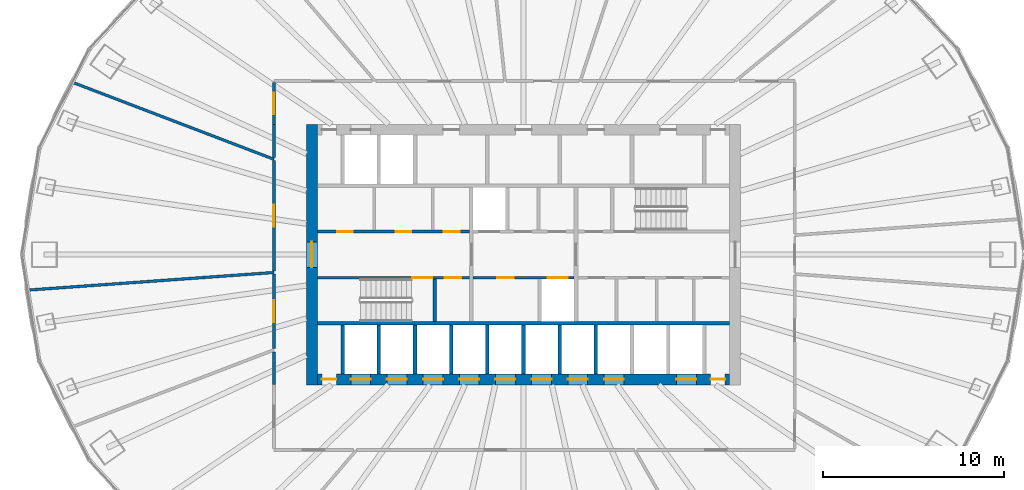
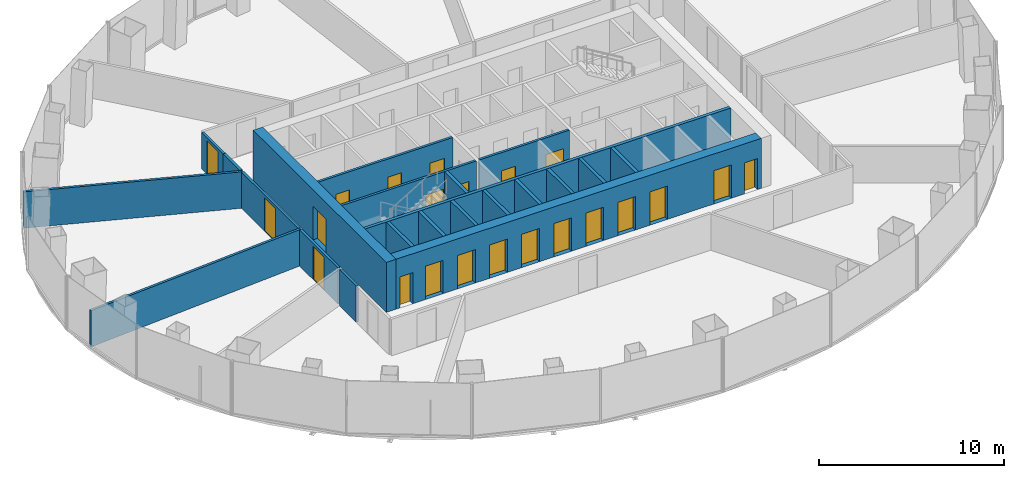
# One storey, part 8 of 11: 22 doors, 22 walls, 22 openings.
"""IFC4 building model written with IfcOpenShell, lengths in metres."""

from ifc_helpers import new_model, si_unit, direction, frame, frame_2d, origin, place, context, subcontext, project, spatial, rectangle, extrude, material, layer, layer_set, type_object, element, fill, save


model = new_model("IFC4")

# Units and contexts
model_context = context("Model", 3, precision=1e-05, world=origin(), true_north=direction((0.0, 1.0)))
body_context = subcontext(model_context, "Body", "Model", "MODEL_VIEW")
ifc_project = project(units=[si_unit("LENGTHUNIT", "METRE"), si_unit("AREAUNIT", "SQUARE_METRE"), si_unit("VOLUMEUNIT", "CUBIC_METRE"), si_unit("PLANEANGLEUNIT", "RADIAN"), si_unit("MASSUNIT", "GRAM", prefix="KILO")], contexts=[model_context])

# Site, building, storey
site_placement = place(None, origin())
site = spatial("IfcSite", under=ifc_project, at=site_placement, CompositionType="ELEMENT")
building_placement = place(site_placement, origin())
building = spatial("IfcBuilding", under=site, at=building_placement, Name="Siaravel Broadcast Tower", CompositionType="ELEMENT")
storey_placement = place(building_placement, frame((0.0, 0.0, 55.60009765625)))
storey = spatial("IfcBuildingStorey", under=building, at=storey_placement, Name="L12", CompositionType="ELEMENT", Elevation=55.60009765625)

# Wall, opening, door
ifc_material_1 = material(Name="Concrete C60/75", Category="concrete")
ifc_layer_1 = layer(ifc_material_1, 0.60009765625)
ifc_layer_set_1 = layer_set([ifc_layer_1], Name="Concrete C60/75")
wall_type_1 = type_object("IfcWallType", Name="Core wall 600", PredefinedType="SHEAR", material=ifc_layer_set_1)
wall_1_placement = place(storey_placement, frame((-11.699951171875, -7.199951171875, 0.0), z_axis=(0.0, 0.0, 1.0), x_axis=(0.0, 1.0, 0.0)))
wall_1 = element("IfcWall", 1, at=wall_1_placement, inside=storey, type_object=wall_type_1, Name="L12 core wall OW", PredefinedType="SHEAR", context=body_context, shape_type="SweptSolid", body=[
    extrude(rectangle(XDim=14.39990234375, YDim=0.60009765625, at=frame_2d((7.199951171875, 0.0))), origin(), (0.0, 0.0, 1.0), 3.2998046875),
])
opening_1_placement = place(wall_1_placement, frame((6.5, 0.0, 0.0)))
opening_1 = element("IfcOpeningElement", 2, at=opening_1_placement, cuts=wall_1, Name="Opening L12-DX-W", PredefinedType="OPENING", context=body_context, shape_type="SweptSolid", body=[
    extrude(rectangle(XDim=1.39990234375, YDim=2.199951171875, at=frame_2d((0.699951171875, 1.10009765625))), frame((0.0, 0.31005859375, 0.0), z_axis=(0.0, -1.0, 0.0), x_axis=(1.0, 0.0, 0.0)), (0.0, 0.0, 1.0), 0.6201171875),
])
ifc_material_2 = material(Name="Steel", Category="steel")
door_type_1 = type_object("IfcDoorType", Name="Core exit door 1400", OperationType="DOUBLE_DOOR_SINGLE_SWING", PredefinedType="DOOR", material=ifc_material_2)
door_1_placement = place(opening_1_placement, origin())
door_1 = element("IfcDoor", 3, at=door_1_placement, inside=storey, type_object=door_type_1, Name="L12 door DX-W", OperationType="DOUBLE_DOOR_SINGLE_SWING", OverallHeight=2.199951171875, OverallWidth=1.39990234375, PredefinedType="DOOR", context=body_context, shape_type="SweptSolid", body=[
    extrude(rectangle(XDim=1.39990234375, YDim=2.199951171875, at=frame_2d((0.699951171875, 1.10009765625))), frame((0.0, 0.02490234375, 0.0), z_axis=(0.0, -1.0, 0.0), x_axis=(1.0, 0.0, 0.0)), (0.0, 0.0, 1.0), 0.050048828125),
])
fill(opening_1, door_1)

# Wall, openings, doors
wall_2_placement = place(storey_placement, frame((-11.39990234375, -6.89990234375, 0.0), z_axis=(0.0, 0.0, 1.0), x_axis=(1.0, 0.0, 0.0)))
wall_2 = element("IfcWall", 4, at=wall_2_placement, inside=storey, type_object=wall_type_1, Name="L12 core wall OS", PredefinedType="SHEAR", context=body_context, shape_type="SweptSolid", body=[
    extrude(rectangle(XDim=22.7998046875, YDim=0.60009765625, at=frame_2d((11.39990234375, 0.0))), origin(), (0.0, 0.0, 1.0), 3.2998046875),
])
opening_2_placement = place(wall_2_placement, frame((1.85009765625, 0.0, 0.0)))
opening_2 = element("IfcOpeningElement", 5, at=opening_2_placement, cuts=wall_2, Name="Opening LD-LP1-L12", PredefinedType="OPENING", context=body_context, shape_type="SweptSolid", body=[
    extrude(rectangle(XDim=1.10009765625, YDim=2.199951171875, at=frame_2d((0.550048828125, 1.10009765625))), frame((0.0, 0.31005859375, 0.0), z_axis=(0.0, -1.0, 0.0), x_axis=(1.0, 0.0, 0.0)), (0.0, 0.0, 1.0), 0.6201171875),
])
opening_3_placement = place(wall_2_placement, frame((3.85009765625, 0.0, 0.0)))
opening_3 = element("IfcOpeningElement", 6, at=opening_3_placement, cuts=wall_2, Name="Opening LD-LP2-L12", PredefinedType="OPENING", context=body_context, shape_type="SweptSolid", body=[
    extrude(rectangle(XDim=1.10009765625, YDim=2.199951171875, at=frame_2d((0.550048828125, 1.10009765625))), frame((0.0, 0.31005859375, 0.0), z_axis=(0.0, -1.0, 0.0), x_axis=(1.0, 0.0, 0.0)), (0.0, 0.0, 1.0), 0.6201171875),
])
opening_4_placement = place(wall_2_placement, frame((5.85009765625, 0.0, 0.0)))
opening_4 = element("IfcOpeningElement", 7, at=opening_4_placement, cuts=wall_2, Name="Opening LD-LP3-L12", PredefinedType="OPENING", context=body_context, shape_type="SweptSolid", body=[
    extrude(rectangle(XDim=1.10009765625, YDim=2.199951171875, at=frame_2d((0.550048828125, 1.10009765625))), frame((0.0, 0.31005859375, 0.0), z_axis=(0.0, -1.0, 0.0), x_axis=(1.0, 0.0, 0.0)), (0.0, 0.0, 1.0), 0.6201171875),
])
opening_5_placement = place(wall_2_placement, frame((7.85009765625, 0.0, 0.0)))
opening_5 = element("IfcOpeningElement", 8, at=opening_5_placement, cuts=wall_2, Name="Opening LD-LP4-L12", PredefinedType="OPENING", context=body_context, shape_type="SweptSolid", body=[
    extrude(rectangle(XDim=1.10009765625, YDim=2.199951171875, at=frame_2d((0.550048828125, 1.10009765625))), frame((0.0, 0.31005859375, 0.0), z_axis=(0.0, -1.0, 0.0), x_axis=(1.0, 0.0, 0.0)), (0.0, 0.0, 1.0), 0.6201171875),
])
opening_6_placement = place(wall_2_placement, frame((9.85009765625, 0.0, 0.0)))
opening_6 = element("IfcOpeningElement", 9, at=opening_6_placement, cuts=wall_2, Name="Opening LD-LP5-L12", PredefinedType="OPENING", context=body_context, shape_type="SweptSolid", body=[
    extrude(rectangle(XDim=1.10009765625, YDim=2.199951171875, at=frame_2d((0.550048828125, 1.10009765625))), frame((0.0, 0.31005859375, 0.0), z_axis=(0.0, -1.0, 0.0), x_axis=(1.0, 0.0, 0.0)), (0.0, 0.0, 1.0), 0.6201171875),
])
opening_7_placement = place(wall_2_placement, frame((11.85009765625, 0.0, 0.0)))
opening_7 = element("IfcOpeningElement", 10, at=opening_7_placement, cuts=wall_2, Name="Opening LD-LP6-L12", PredefinedType="OPENING", context=body_context, shape_type="SweptSolid", body=[
    extrude(rectangle(XDim=1.10009765625, YDim=2.199951171875, at=frame_2d((0.550048828125, 1.10009765625))), frame((0.0, 0.31005859375, 0.0), z_axis=(0.0, -1.0, 0.0), x_axis=(1.0, 0.0, 0.0)), (0.0, 0.0, 1.0), 0.6201171875),
])
opening_8_placement = place(wall_2_placement, frame((13.85009765625, 0.0, 0.0)))
opening_8 = element("IfcOpeningElement", 11, at=opening_8_placement, cuts=wall_2, Name="Opening LD-LP7-L12", PredefinedType="OPENING", context=body_context, shape_type="SweptSolid", body=[
    extrude(rectangle(XDim=1.10009765625, YDim=2.199951171875, at=frame_2d((0.550048828125, 1.10009765625))), frame((0.0, 0.31005859375, 0.0), z_axis=(0.0, -1.0, 0.0), x_axis=(1.0, 0.0, 0.0)), (0.0, 0.0, 1.0), 0.6201171875),
])
opening_9_placement = place(wall_2_placement, frame((15.85009765625, 0.0, 0.0)))
opening_9 = element("IfcOpeningElement", 12, at=opening_9_placement, cuts=wall_2, Name="Opening LD-LP8-L12", PredefinedType="OPENING", context=body_context, shape_type="SweptSolid", body=[
    extrude(rectangle(XDim=1.10009765625, YDim=2.199951171875, at=frame_2d((0.550048828125, 1.10009765625))), frame((0.0, 0.31005859375, 0.0), z_axis=(0.0, -1.0, 0.0), x_axis=(1.0, 0.0, 0.0)), (0.0, 0.0, 1.0), 0.6201171875),
])
opening_10_placement = place(wall_2_placement, frame((19.85009765625, 0.0, 0.0)))
opening_10 = element("IfcOpeningElement", 13, at=opening_10_placement, cuts=wall_2, Name="Opening LD-SV1-L12", PredefinedType="OPENING", context=body_context, shape_type="SweptSolid", body=[
    extrude(rectangle(XDim=1.10009765625, YDim=2.199951171875, at=frame_2d((0.550048828125, 1.10009765625))), frame((0.0, 0.31005859375, 0.0), z_axis=(0.0, -1.0, 0.0), x_axis=(1.0, 0.0, 0.0)), (0.0, 0.0, 1.0), 0.6201171875),
])
opening_11_placement = place(wall_2_placement, frame((0.25, 0.0, 0.0)))
opening_11 = element("IfcOpeningElement", 14, at=opening_11_placement, cuts=wall_2, Name="Opening L12-DRSW", PredefinedType="OPENING", context=body_context, shape_type="SweptSolid", body=[
    extrude(rectangle(XDim=0.800048828125, YDim=2.050048828125, at=frame_2d((0.39990234375, 1.02490234375))), frame((0.0, 0.31005859375, 0.0), z_axis=(0.0, -1.0, 0.0), x_axis=(1.0, 0.0, 0.0)), (0.0, 0.0, 1.0), 0.6201171875),
])
opening_12_placement = place(wall_2_placement, frame((21.75, 0.0, 0.0)))
opening_12 = element("IfcOpeningElement", 15, at=opening_12_placement, cuts=wall_2, Name="Opening L12-DRSE", PredefinedType="OPENING", context=body_context, shape_type="SweptSolid", body=[
    extrude(rectangle(XDim=0.800048828125, YDim=2.050048828125, at=frame_2d((0.39990234375, 1.02490234375))), frame((0.0, 0.31005859375, 0.0), z_axis=(0.0, -1.0, 0.0), x_axis=(1.0, 0.0, 0.0)), (0.0, 0.0, 1.0), 0.6201171875),
])
ifc_material_3 = material(Name="Stainless steel 316L", Category="steel")
door_type_2 = type_object("IfcDoorType", Name="Lift landing door 1100", OperationType="DOUBLE_DOOR_SLIDING", PredefinedType="DOOR", material=ifc_material_3)
door_2_placement = place(opening_2_placement, origin())
door_2 = element("IfcDoor", 16, at=door_2_placement, inside=storey, type_object=door_type_2, Name="Landing door LP1 L12", OperationType="DOUBLE_DOOR_SLIDING", OverallHeight=2.199951171875, OverallWidth=1.10009765625, PredefinedType="DOOR", context=body_context, shape_type="SweptSolid", body=[
    extrude(rectangle(XDim=1.10009765625, YDim=2.199951171875, at=frame_2d((0.550048828125, 1.10009765625))), frame((0.0, 0.02490234375, 0.0), z_axis=(0.0, -1.0, 0.0), x_axis=(1.0, 0.0, 0.0)), (0.0, 0.0, 1.0), 0.050048828125),
])
fill(opening_2, door_2)
door_3_placement = place(opening_3_placement, origin())
door_3 = element("IfcDoor", 17, at=door_3_placement, inside=storey, type_object=door_type_2, Name="Landing door LP2 L12", OperationType="DOUBLE_DOOR_SLIDING", OverallHeight=2.199951171875, OverallWidth=1.10009765625, PredefinedType="DOOR", context=body_context, shape_type="SweptSolid", body=[
    extrude(rectangle(XDim=1.10009765625, YDim=2.199951171875, at=frame_2d((0.550048828125, 1.10009765625))), frame((0.0, 0.02490234375, 0.0), z_axis=(0.0, -1.0, 0.0), x_axis=(1.0, 0.0, 0.0)), (0.0, 0.0, 1.0), 0.050048828125),
])
fill(opening_3, door_3)
door_4_placement = place(opening_4_placement, origin())
door_4 = element("IfcDoor", 18, at=door_4_placement, inside=storey, type_object=door_type_2, Name="Landing door LP3 L12", OperationType="DOUBLE_DOOR_SLIDING", OverallHeight=2.199951171875, OverallWidth=1.10009765625, PredefinedType="DOOR", context=body_context, shape_type="SweptSolid", body=[
    extrude(rectangle(XDim=1.10009765625, YDim=2.199951171875, at=frame_2d((0.550048828125, 1.10009765625))), frame((0.0, 0.02490234375, 0.0), z_axis=(0.0, -1.0, 0.0), x_axis=(1.0, 0.0, 0.0)), (0.0, 0.0, 1.0), 0.050048828125),
])
fill(opening_4, door_4)
door_5_placement = place(opening_5_placement, origin())
door_5 = element("IfcDoor", 19, at=door_5_placement, inside=storey, type_object=door_type_2, Name="Landing door LP4 L12", OperationType="DOUBLE_DOOR_SLIDING", OverallHeight=2.199951171875, OverallWidth=1.10009765625, PredefinedType="DOOR", context=body_context, shape_type="SweptSolid", body=[
    extrude(rectangle(XDim=1.10009765625, YDim=2.199951171875, at=frame_2d((0.550048828125, 1.10009765625))), frame((0.0, 0.02490234375, 0.0), z_axis=(0.0, -1.0, 0.0), x_axis=(1.0, 0.0, 0.0)), (0.0, 0.0, 1.0), 0.050048828125),
])
fill(opening_5, door_5)
door_6_placement = place(opening_6_placement, origin())
door_6 = element("IfcDoor", 20, at=door_6_placement, inside=storey, type_object=door_type_2, Name="Landing door LP5 L12", OperationType="DOUBLE_DOOR_SLIDING", OverallHeight=2.199951171875, OverallWidth=1.10009765625, PredefinedType="DOOR", context=body_context, shape_type="SweptSolid", body=[
    extrude(rectangle(XDim=1.10009765625, YDim=2.199951171875, at=frame_2d((0.550048828125, 1.10009765625))), frame((0.0, 0.02490234375, 0.0), z_axis=(0.0, -1.0, 0.0), x_axis=(1.0, 0.0, 0.0)), (0.0, 0.0, 1.0), 0.050048828125),
])
fill(opening_6, door_6)
door_7_placement = place(opening_7_placement, origin())
door_7 = element("IfcDoor", 21, at=door_7_placement, inside=storey, type_object=door_type_2, Name="Landing door LP6 L12", OperationType="DOUBLE_DOOR_SLIDING", OverallHeight=2.199951171875, OverallWidth=1.10009765625, PredefinedType="DOOR", context=body_context, shape_type="SweptSolid", body=[
    extrude(rectangle(XDim=1.10009765625, YDim=2.199951171875, at=frame_2d((0.550048828125, 1.10009765625))), frame((0.0, 0.02490234375, 0.0), z_axis=(0.0, -1.0, 0.0), x_axis=(1.0, 0.0, 0.0)), (0.0, 0.0, 1.0), 0.050048828125),
])
fill(opening_7, door_7)
door_8_placement = place(opening_8_placement, origin())
door_8 = element("IfcDoor", 22, at=door_8_placement, inside=storey, type_object=door_type_2, Name="Landing door LP7 L12", OperationType="DOUBLE_DOOR_SLIDING", OverallHeight=2.199951171875, OverallWidth=1.10009765625, PredefinedType="DOOR", context=body_context, shape_type="SweptSolid", body=[
    extrude(rectangle(XDim=1.10009765625, YDim=2.199951171875, at=frame_2d((0.550048828125, 1.10009765625))), frame((0.0, 0.02490234375, 0.0), z_axis=(0.0, -1.0, 0.0), x_axis=(1.0, 0.0, 0.0)), (0.0, 0.0, 1.0), 0.050048828125),
])
fill(opening_8, door_8)
door_9_placement = place(opening_9_placement, origin())
door_9 = element("IfcDoor", 23, at=door_9_placement, inside=storey, type_object=door_type_2, Name="Landing door LP8 L12", OperationType="DOUBLE_DOOR_SLIDING", OverallHeight=2.199951171875, OverallWidth=1.10009765625, PredefinedType="DOOR", context=body_context, shape_type="SweptSolid", body=[
    extrude(rectangle(XDim=1.10009765625, YDim=2.199951171875, at=frame_2d((0.550048828125, 1.10009765625))), frame((0.0, 0.02490234375, 0.0), z_axis=(0.0, -1.0, 0.0), x_axis=(1.0, 0.0, 0.0)), (0.0, 0.0, 1.0), 0.050048828125),
])
fill(opening_9, door_9)
door_type_3 = type_object("IfcDoorType", Name="Riser door 800", OperationType="SINGLE_SWING_LEFT", PredefinedType="DOOR", material=ifc_material_2)
door_10_placement = place(opening_11_placement, origin())
door_10 = element("IfcDoor", 24, at=door_10_placement, inside=storey, type_object=door_type_3, Name="L12 door DRSW", OperationType="SINGLE_SWING_LEFT", OverallHeight=2.050048828125, OverallWidth=0.800048828125, PredefinedType="DOOR", context=body_context, shape_type="SweptSolid", body=[
    extrude(rectangle(XDim=0.800048828125, YDim=2.050048828125, at=frame_2d((0.39990234375, 1.02490234375))), frame((0.0, 0.02490234375, 0.0), z_axis=(0.0, -1.0, 0.0), x_axis=(1.0, 0.0, 0.0)), (0.0, 0.0, 1.0), 0.050048828125),
])
fill(opening_11, door_10)
door_11_placement = place(opening_12_placement, origin())
door_11 = element("IfcDoor", 25, at=door_11_placement, inside=storey, type_object=door_type_3, Name="L12 door DRSE", OperationType="SINGLE_SWING_LEFT", OverallHeight=2.050048828125, OverallWidth=0.800048828125, PredefinedType="DOOR", context=body_context, shape_type="SweptSolid", body=[
    extrude(rectangle(XDim=0.800048828125, YDim=2.050048828125, at=frame_2d((0.39990234375, 1.02490234375))), frame((0.0, 0.02490234375, 0.0), z_axis=(0.0, -1.0, 0.0), x_axis=(1.0, 0.0, 0.0)), (0.0, 0.0, 1.0), 0.050048828125),
])
fill(opening_12, door_11)
door_type_4 = type_object("IfcDoorType", Name="Service lift landing door 1100", OperationType="DOUBLE_DOOR_SLIDING", PredefinedType="DOOR", material=ifc_material_3)
door_12_placement = place(opening_10_placement, origin())
door_12 = element("IfcDoor", 26, at=door_12_placement, inside=storey, type_object=door_type_4, Name="Landing door SV1 L12", OperationType="DOUBLE_DOOR_SLIDING", OverallHeight=2.199951171875, OverallWidth=1.10009765625, PredefinedType="DOOR", context=body_context, shape_type="SweptSolid", body=[
    extrude(rectangle(XDim=1.10009765625, YDim=2.199951171875, at=frame_2d((0.550048828125, 1.10009765625))), frame((0.0, 0.02490234375, 0.0), z_axis=(0.0, -1.0, 0.0), x_axis=(1.0, 0.0, 0.0)), (0.0, 0.0, 1.0), 0.050048828125),
])
fill(opening_10, door_12)

ifc_material_4 = material(Name="Gypsum board partition", Category="gypsum")
ifc_layer_2 = layer(ifc_material_4, 0.14990234375)
ifc_layer_set_2 = layer_set([ifc_layer_2], Name="Gypsum board partition")
wall_type_2 = type_object("IfcWallType", Name="Corridor wall 150", PredefinedType="PARTITIONING", material=ifc_layer_set_2)
wall_3_placement = place(storey_placement, frame((-11.39990234375, 1.27490234375, 0.0), z_axis=(0.0, 0.0, 1.0), x_axis=(1.0, 0.0, 0.0)))
wall_3 = element("IfcWall", 27, at=wall_3_placement, inside=storey, type_object=wall_type_2, Name="L12 core partition CNW", PredefinedType="PARTITIONING", context=body_context, shape_type="SweptSolid", body=[
    extrude(rectangle(XDim=8.39990234375, YDim=0.14990234375, at=frame_2d((4.199951171875, 0.0))), origin(), (0.0, 0.0, 1.0), 3.2998046875),
])
opening_13_placement = place(wall_3_placement, frame((1.114013671875, 0.0, 0.0)))
opening_13 = element("IfcOpeningElement", 28, at=opening_13_placement, cuts=wall_3, Name="Opening L12-DNW0", PredefinedType="OPENING", context=body_context, shape_type="SweptSolid", body=[
    extrude(rectangle(XDim=0.85009765625, YDim=2.10009765625, at=frame_2d((0.425048828125, 1.050048828125))), frame((0.0, 0.0849609375, 0.0), z_axis=(0.0, -1.0, 0.0), x_axis=(1.0, 0.0, 0.0)), (0.0, 0.0, 1.0), 0.169921875),
])
opening_14_placement = place(wall_3_placement, frame((4.342041015625, 0.0, 0.0)))
opening_14 = element("IfcOpeningElement", 29, at=opening_14_placement, cuts=wall_3, Name="Opening L12-DNW1", PredefinedType="OPENING", context=body_context, shape_type="SweptSolid", body=[
    extrude(rectangle(XDim=0.85009765625, YDim=2.10009765625, at=frame_2d((0.425048828125, 1.050048828125))), frame((0.0, 0.0849609375, 0.0), z_axis=(0.0, -1.0, 0.0), x_axis=(1.0, 0.0, 0.0)), (0.0, 0.0, 1.0), 0.169921875),
])
opening_15_placement = place(wall_3_placement, frame((6.97802734375, 0.0, 0.0)))
opening_15 = element("IfcOpeningElement", 30, at=opening_15_placement, cuts=wall_3, Name="Opening L12-DNW2", PredefinedType="OPENING", context=body_context, shape_type="SweptSolid", body=[
    extrude(rectangle(XDim=0.89990234375, YDim=2.10009765625, at=frame_2d((0.449951171875, 1.050048828125))), frame((0.0, 0.0849609375, 0.0), z_axis=(0.0, -1.0, 0.0), x_axis=(1.0, 0.0, 0.0)), (0.0, 0.0, 1.0), 0.169921875),
])
ifc_material_5 = material(Name="Timber veneer", Category="wood")
door_type_5 = type_object("IfcDoorType", Name="Core room door 900", OperationType="SINGLE_SWING_LEFT", PredefinedType="DOOR", material=ifc_material_5)
door_13_placement = place(opening_15_placement, origin())
door_13 = element("IfcDoor", 31, at=door_13_placement, inside=storey, type_object=door_type_5, Name="L12 door DNW2", OperationType="SINGLE_SWING_LEFT", OverallHeight=2.10009765625, OverallWidth=0.89990234375, PredefinedType="DOOR", context=body_context, shape_type="SweptSolid", body=[
    extrude(rectangle(XDim=0.89990234375, YDim=2.10009765625, at=frame_2d((0.449951171875, 1.050048828125))), frame((0.0, 0.02490234375, 0.0), z_axis=(0.0, -1.0, 0.0), x_axis=(1.0, 0.0, 0.0)), (0.0, 0.0, 1.0), 0.050048828125),
])
fill(opening_15, door_13)
door_type_6 = type_object("IfcDoorType", Name="Core toilet door 850", OperationType="SINGLE_SWING_LEFT", PredefinedType="DOOR", material=ifc_material_5)
door_14_placement = place(opening_13_placement, origin())
door_14 = element("IfcDoor", 32, at=door_14_placement, inside=storey, type_object=door_type_6, Name="L12 door DNW0", OperationType="SINGLE_SWING_LEFT", OverallHeight=2.10009765625, OverallWidth=0.85009765625, PredefinedType="DOOR", context=body_context, shape_type="SweptSolid", body=[
    extrude(rectangle(XDim=0.85009765625, YDim=2.10009765625, at=frame_2d((0.425048828125, 1.050048828125))), frame((0.0, 0.02490234375, 0.0), z_axis=(0.0, -1.0, 0.0), x_axis=(1.0, 0.0, 0.0)), (0.0, 0.0, 1.0), 0.050048828125),
])
fill(opening_13, door_14)
door_15_placement = place(opening_14_placement, origin())
door_15 = element("IfcDoor", 33, at=door_15_placement, inside=storey, type_object=door_type_6, Name="L12 door DNW1", OperationType="SINGLE_SWING_LEFT", OverallHeight=2.10009765625, OverallWidth=0.85009765625, PredefinedType="DOOR", context=body_context, shape_type="SweptSolid", body=[
    extrude(rectangle(XDim=0.85009765625, YDim=2.10009765625, at=frame_2d((0.425048828125, 1.050048828125))), frame((0.0, 0.02490234375, 0.0), z_axis=(0.0, -1.0, 0.0), x_axis=(1.0, 0.0, 0.0)), (0.0, 0.0, 1.0), 0.050048828125),
])
fill(opening_14, door_15)

# Wall, opening, door
wall_4_placement = place(storey_placement, frame((-13.800048828125, 5.198974609375, 0.0), z_axis=(0.0, 0.0, 1.0), x_axis=(0.0, -1.0, 0.0)))
wall_4 = element("IfcWall", 34, at=wall_4_placement, inside=storey, type_object=wall_type_2, Name="L12 partition 17", PredefinedType="PARTITIONING", context=body_context, shape_type="SweptSolid", body=[
    extrude(rectangle(XDim=6.111083984375, YDim=0.14990234375, at=frame_2d((3.0556640625, 0.0))), origin(), (0.0, 0.0, 1.0), 2.39990234375),
])
opening_16_placement = place(wall_4_placement, frame((2.45556640625, 0.0, 0.0)))
opening_16 = element("IfcOpeningElement", 35, at=opening_16_placement, cuts=wall_4, Name="Opening L12-008", PredefinedType="OPENING", context=body_context, shape_type="SweptSolid", body=[
    extrude(rectangle(XDim=1.199951171875, YDim=2.199951171875, at=frame_2d((0.60009765625, 1.10009765625))), frame((0.0, 0.0849609375, 0.0), z_axis=(0.0, -1.0, 0.0), x_axis=(1.0, 0.0, 0.0)), (0.0, 0.0, 1.0), 0.169921875),
])
door_type_7 = type_object("IfcDoorType", Name="Office double door 1200", OperationType="DOUBLE_DOOR_SINGLE_SWING", PredefinedType="DOOR", material=ifc_material_5)
door_16_placement = place(opening_16_placement, origin())
door_16 = element("IfcDoor", 36, at=door_16_placement, inside=storey, type_object=door_type_7, Name="L12 door to Newsroom desk office", OperationType="DOUBLE_DOOR_SINGLE_SWING", OverallHeight=2.199951171875, OverallWidth=1.199951171875, PredefinedType="DOOR", context=body_context, shape_type="SweptSolid", body=[
    extrude(rectangle(XDim=1.199951171875, YDim=2.199951171875, at=frame_2d((0.60009765625, 1.10009765625))), frame((0.0, 0.02490234375, 0.0), z_axis=(0.0, -1.0, 0.0), x_axis=(1.0, 0.0, 0.0)), (0.0, 0.0, 1.0), 0.050048828125),
])
fill(opening_16, door_16)

wall_5_placement = place(storey_placement, frame((-13.800048828125, -1.071533203125, 0.0), z_axis=(0.0, 0.0, 1.0), x_axis=(0.0, -1.0, 0.0)))
wall_5 = element("IfcWall", 37, at=wall_5_placement, inside=storey, type_object=wall_type_2, Name="L12 partition 22", PredefinedType="PARTITIONING", context=body_context, shape_type="SweptSolid", body=[
    extrude(rectangle(XDim=4.12744140625, YDim=0.14990234375, at=frame_2d((2.063720703125, 0.0))), origin(), (0.0, 0.0, 1.0), 2.39990234375),
])
opening_17_placement = place(wall_5_placement, frame((1.463623046875, 0.0, 0.0)))
opening_17 = element("IfcOpeningElement", 38, at=opening_17_placement, cuts=wall_5, Name="Opening L12-009", PredefinedType="OPENING", context=body_context, shape_type="SweptSolid", body=[
    extrude(rectangle(XDim=1.199951171875, YDim=2.199951171875, at=frame_2d((0.60009765625, 1.10009765625))), frame((0.0, 0.0849609375, 0.0), z_axis=(0.0, -1.0, 0.0), x_axis=(1.0, 0.0, 0.0)), (0.0, 0.0, 1.0), 0.169921875),
])
door_17_placement = place(opening_17_placement, origin())
door_17 = element("IfcDoor", 39, at=door_17_placement, inside=storey, type_object=door_type_7, Name="L12 door to Newsroom desk office", OperationType="DOUBLE_DOOR_SINGLE_SWING", OverallHeight=2.199951171875, OverallWidth=1.199951171875, PredefinedType="DOOR", context=body_context, shape_type="SweptSolid", body=[
    extrude(rectangle(XDim=1.199951171875, YDim=2.199951171875, at=frame_2d((0.60009765625, 1.10009765625))), frame((0.0, 0.02490234375, 0.0), z_axis=(0.0, -1.0, 0.0), x_axis=(1.0, 0.0, 0.0)), (0.0, 0.0, 1.0), 0.050048828125),
])
fill(opening_17, door_17)

wall_6_placement = place(storey_placement, frame((-13.800048828125, 9.52294921875, 0.0), z_axis=(0.0, 0.0, 1.0), x_axis=(0.0, -1.0, 0.0)))
wall_6 = element("IfcWall", 40, at=wall_6_placement, inside=storey, type_object=wall_type_2, Name="L12 partition 26", PredefinedType="PARTITIONING", context=body_context, shape_type="SweptSolid", body=[
    extrude(rectangle(XDim=2.3349609375, YDim=0.14990234375, at=frame_2d((1.16748046875, 0.0))), origin(), (0.0, 0.0, 1.0), 2.39990234375),
])
opening_18_placement = place(wall_6_placement, frame((0.5673828125, 0.0, 0.0)))
opening_18 = element("IfcOpeningElement", 41, at=opening_18_placement, cuts=wall_6, Name="Opening L12-007", PredefinedType="OPENING", context=body_context, shape_type="SweptSolid", body=[
    extrude(rectangle(XDim=1.199951171875, YDim=2.199951171875, at=frame_2d((0.60009765625, 1.10009765625))), frame((0.0, 0.0849609375, 0.0), z_axis=(0.0, -1.0, 0.0), x_axis=(1.0, 0.0, 0.0)), (0.0, 0.0, 1.0), 0.169921875),
])
door_18_placement = place(opening_18_placement, origin())
door_18 = element("IfcDoor", 42, at=door_18_placement, inside=storey, type_object=door_type_7, Name="L12 door to Open plan newsroom", OperationType="DOUBLE_DOOR_SINGLE_SWING", OverallHeight=2.199951171875, OverallWidth=1.199951171875, PredefinedType="DOOR", context=body_context, shape_type="SweptSolid", body=[
    extrude(rectangle(XDim=1.199951171875, YDim=2.199951171875, at=frame_2d((0.60009765625, 1.10009765625))), frame((0.0, 0.02490234375, 0.0), z_axis=(0.0, -1.0, 0.0), x_axis=(1.0, 0.0, 0.0)), (0.0, 0.0, 1.0), 0.050048828125),
])
fill(opening_18, door_18)

# Walls
for number, where, z_axis, x_axis, name in (
    (43, (-13.800048828125, -5.382080078125, 0.0), (0.0, 0.0, 1.0), (0.0, -1.0, 0.0), "L12 partition 30"),
    (44, (-13.800048828125, 7.18701171875, 0.0), (0.0, 0.0, 1.0), (0.0, -1.0, 0.0), "L12 partition 31"),
):
    element("IfcWall", number, at=place(storey_placement, frame(where, z_axis=z_axis, x_axis=x_axis)), inside=storey, type_object=wall_type_2, Name=name, PredefinedType="PARTITIONING", context=body_context, shape_type="SweptSolid", body=[
        extrude(rectangle(XDim=1.804931640625, YDim=0.14990234375, at=frame_2d((0.90234375, 0.0))), origin(), (0.0, 0.0, 1.0), 2.39990234375),
    ])
ifc_layer_3 = layer(ifc_material_4, 0.14990234375)
ifc_layer_set_3 = layer_set([ifc_layer_3], Name="Gypsum board partition")
wall_type_3 = type_object("IfcWallType", Name="Room partition 150", PredefinedType="PARTITIONING", material=ifc_layer_set_3)
wall_7_placement = place(storey_placement, frame((-27.45654296875, -1.967529296875, 0.0), z_axis=(0.0, 0.0, 1.0), x_axis=(0.997442835, 0.071468811, 0.0)))
element("IfcWall", 45, at=wall_7_placement, inside=storey, type_object=wall_type_3, Name="L12 partition 2", PredefinedType="PARTITIONING", context=body_context, shape_type="SweptSolid", body=[
    extrude(rectangle(XDim=13.69140625, YDim=0.14990234375, at=frame_2d((6.845703125, 0.0))), origin(), (0.0, 0.0, 1.0), 2.39990234375),
])
wall_8_placement = place(storey_placement, frame((-24.9755859375, 9.539794921875, 0.0), z_axis=(0.0, 0.0, 1.0), x_axis=(0.934168918, -0.356831098, 0.0)))
element("IfcWall", 46, at=wall_8_placement, inside=storey, type_object=wall_type_3, Name="L12 partition 7", PredefinedType="PARTITIONING", context=body_context, shape_type="SweptSolid", body=[
    extrude(rectangle(XDim=11.963134765625, YDim=0.14990234375, at=frame_2d((5.9814453125, 0.0))), origin(), (0.0, 0.0, 1.0), 2.39990234375),
])

# Wall, openings, doors
ifc_layer_4 = layer(ifc_material_1, 0.14990234375)
ifc_layer_set_4 = layer_set([ifc_layer_4], Name="Concrete C60/75")
wall_type_4 = type_object("IfcWallType", Name="Shaft wall 150", PredefinedType="SHEAR", material=ifc_layer_set_4)
wall_9_placement = place(storey_placement, frame((-11.39990234375, -1.27490234375, 0.0), z_axis=(0.0, 0.0, 1.0), x_axis=(1.0, 0.0, 0.0)))
wall_9 = element("IfcWall", 47, at=wall_9_placement, inside=storey, type_object=wall_type_4, Name="L12 core wall CSW", PredefinedType="SHEAR", context=body_context, shape_type="SweptSolid", body=[
    extrude(rectangle(XDim=8.39990234375, YDim=0.14990234375, at=frame_2d((4.199951171875, 0.0))), origin(), (0.0, 0.0, 1.0), 3.2998046875),
])
opening_19_placement = place(wall_9_placement, frame((5.25, 0.0, 0.0)))
opening_19 = element("IfcOpeningElement", 48, at=opening_19_placement, cuts=wall_9, Name="Opening L12-DS-1", PredefinedType="OPENING", context=body_context, shape_type="SweptSolid", body=[
    extrude(rectangle(XDim=1.10009765625, YDim=2.14990234375, at=frame_2d((0.550048828125, 1.074951171875))), frame((0.0, 0.0849609375, 0.0), z_axis=(0.0, -1.0, 0.0), x_axis=(1.0, 0.0, 0.0)), (0.0, 0.0, 1.0), 0.169921875),
])
opening_20_placement = place(wall_9_placement, frame((7.050048828125, 0.0, 0.0)))
opening_20 = element("IfcOpeningElement", 49, at=opening_20_placement, cuts=wall_9, Name="Opening L12-DSW0", PredefinedType="OPENING", context=body_context, shape_type="SweptSolid", body=[
    extrude(rectangle(XDim=0.89990234375, YDim=2.10009765625, at=frame_2d((0.449951171875, 1.050048828125))), frame((0.0, 0.0849609375, 0.0), z_axis=(0.0, -1.0, 0.0), x_axis=(1.0, 0.0, 0.0)), (0.0, 0.0, 1.0), 0.169921875),
])
door_19_placement = place(opening_20_placement, origin())
door_19 = element("IfcDoor", 50, at=door_19_placement, inside=storey, type_object=door_type_5, Name="L12 door DSW0", OperationType="SINGLE_SWING_LEFT", OverallHeight=2.10009765625, OverallWidth=0.89990234375, PredefinedType="DOOR", context=body_context, shape_type="SweptSolid", body=[
    extrude(rectangle(XDim=0.89990234375, YDim=2.10009765625, at=frame_2d((0.449951171875, 1.050048828125))), frame((0.0, 0.02490234375, 0.0), z_axis=(0.0, -1.0, 0.0), x_axis=(1.0, 0.0, 0.0)), (0.0, 0.0, 1.0), 0.050048828125),
])
fill(opening_20, door_19)
door_type_8 = type_object("IfcDoorType", Name="Stair door 1100", OperationType="SINGLE_SWING_LEFT", PredefinedType="DOOR", material=ifc_material_2)
door_20_placement = place(opening_19_placement, origin())
door_20 = element("IfcDoor", 51, at=door_20_placement, inside=storey, type_object=door_type_8, Name="L12 door DS-1", OperationType="SINGLE_SWING_LEFT", OverallHeight=2.14990234375, OverallWidth=1.10009765625, PredefinedType="DOOR", context=body_context, shape_type="SweptSolid", body=[
    extrude(rectangle(XDim=1.10009765625, YDim=2.14990234375, at=frame_2d((0.550048828125, 1.074951171875))), frame((0.0, 0.02490234375, 0.0), z_axis=(0.0, -1.0, 0.0), x_axis=(1.0, 0.0, 0.0)), (0.0, 0.0, 1.0), 0.050048828125),
])
fill(opening_19, door_20)

wall_10_placement = place(storey_placement, frame((-2.800048828125, -1.27490234375, 0.0), z_axis=(0.0, 0.0, 1.0), x_axis=(1.0, 0.0, 0.0)))
wall_10 = element("IfcWall", 52, at=wall_10_placement, inside=storey, type_object=wall_type_4, Name="L12 core wall CSM", PredefinedType="SHEAR", context=body_context, shape_type="SweptSolid", body=[
    extrude(rectangle(XDim=5.60009765625, YDim=0.14990234375, at=frame_2d((2.800048828125, 0.0))), origin(), (0.0, 0.0, 1.0), 3.2998046875),
])
opening_21_placement = place(wall_10_placement, frame((4.14990234375, 0.0, 0.0)))
opening_21 = element("IfcOpeningElement", 53, at=opening_21_placement, cuts=wall_10, Name="Opening LD-FL2-L12", PredefinedType="OPENING", context=body_context, shape_type="SweptSolid", body=[
    extrude(rectangle(XDim=1.10009765625, YDim=2.199951171875, at=frame_2d((0.550048828125, 1.10009765625))), frame((0.0, 0.0849609375, 0.0), z_axis=(0.0, -1.0, 0.0), x_axis=(1.0, 0.0, 0.0)), (0.0, 0.0, 1.0), 0.169921875),
])
opening_22_placement = place(wall_10_placement, frame((1.35009765625, 0.0, 0.0)))
opening_22 = element("IfcOpeningElement", 54, at=opening_22_placement, cuts=wall_10, Name="Opening L12-DSM0", PredefinedType="OPENING", context=body_context, shape_type="SweptSolid", body=[
    extrude(rectangle(XDim=0.89990234375, YDim=2.10009765625, at=frame_2d((0.449951171875, 1.050048828125))), frame((0.0, 0.0849609375, 0.0), z_axis=(0.0, -1.0, 0.0), x_axis=(1.0, 0.0, 0.0)), (0.0, 0.0, 1.0), 0.169921875),
])
door_21_placement = place(opening_22_placement, origin())
door_21 = element("IfcDoor", 55, at=door_21_placement, inside=storey, type_object=door_type_5, Name="L12 door DSM0", OperationType="SINGLE_SWING_LEFT", OverallHeight=2.10009765625, OverallWidth=0.89990234375, PredefinedType="DOOR", context=body_context, shape_type="SweptSolid", body=[
    extrude(rectangle(XDim=0.89990234375, YDim=2.10009765625, at=frame_2d((0.449951171875, 1.050048828125))), frame((0.0, 0.02490234375, 0.0), z_axis=(0.0, -1.0, 0.0), x_axis=(1.0, 0.0, 0.0)), (0.0, 0.0, 1.0), 0.050048828125),
])
fill(opening_22, door_21)
door_type_9 = type_object("IfcDoorType", Name="Firefighting lift landing door 1100", OperationType="DOUBLE_DOOR_SLIDING", PredefinedType="DOOR", material=ifc_material_3)
door_22_placement = place(opening_21_placement, origin())
door_22 = element("IfcDoor", 56, at=door_22_placement, inside=storey, type_object=door_type_9, Name="Landing door FL2 L12", OperationType="DOUBLE_DOOR_SLIDING", OverallHeight=2.199951171875, OverallWidth=1.10009765625, PredefinedType="DOOR", context=body_context, shape_type="SweptSolid", body=[
    extrude(rectangle(XDim=1.10009765625, YDim=2.199951171875, at=frame_2d((0.550048828125, 1.10009765625))), frame((0.0, 0.02490234375, 0.0), z_axis=(0.0, -1.0, 0.0), x_axis=(1.0, 0.0, 0.0)), (0.0, 0.0, 1.0), 0.050048828125),
])
fill(opening_21, door_22)

# Walls
ifc_layer_5 = layer(ifc_material_1, 0.199951171875)
ifc_layer_set_5 = layer_set([ifc_layer_5], Name="Concrete C60/75")
wall_type_5 = type_object("IfcWallType", Name="Shaft wall 200", PredefinedType="SHEAR", material=ifc_layer_set_5)
wall_11_placement = place(storey_placement, frame((-11.39990234375, -3.800048828125, 0.0), z_axis=(0.0, 0.0, 1.0), x_axis=(1.0, 0.0, 0.0)))
element("IfcWall", 57, at=wall_11_placement, inside=storey, type_object=wall_type_5, Name="L12 core wall BS", PredefinedType="SHEAR", context=body_context, shape_type="SweptSolid", body=[
    extrude(rectangle(XDim=22.7998046875, YDim=0.199951171875, at=frame_2d((11.39990234375, 0.0))), origin(), (0.0, 0.0, 1.0), 3.2998046875),
])
for number, where, z_axis, x_axis, name in (
    (58, (-10.0, -6.60009765625, 0.0), (0.0, 0.0, 1.0), (0.0, 1.0, 0.0), "L12 core wall SWS0"),
    (59, (-8.0, -6.60009765625, 0.0), (0.0, 0.0, 1.0), (0.0, 1.0, 0.0), "L12 core wall SWS1"),
    (60, (-6.0, -6.60009765625, 0.0), (0.0, 0.0, 1.0), (0.0, 1.0, 0.0), "L12 core wall SWS2"),
    (61, (-4.0, -6.60009765625, 0.0), (0.0, 0.0, 1.0), (0.0, 1.0, 0.0), "L12 core wall SWS3"),
    (62, (-2.0, -6.60009765625, 0.0), (0.0, 0.0, 1.0), (0.0, 1.0, 0.0), "L12 core wall SWS4"),
    (63, (0.0, -6.60009765625, 0.0), (0.0, 0.0, 1.0), (0.0, 1.0, 0.0), "L12 core wall SWS5"),
    (64, (2.0, -6.60009765625, 0.0), (0.0, 0.0, 1.0), (0.0, 1.0, 0.0), "L12 core wall SWS6"),
    (65, (4.0, -6.60009765625, 0.0), (0.0, 0.0, 1.0), (0.0, 1.0, 0.0), "L12 core wall SWS7"),
):
    element("IfcWall", number, at=place(storey_placement, frame(where, z_axis=z_axis, x_axis=x_axis)), inside=storey, type_object=wall_type_5, Name=name, PredefinedType="SHEAR", context=body_context, shape_type="SweptSolid", body=[
        extrude(rectangle(XDim=2.7001953125, YDim=0.199951171875, at=frame_2d((1.35009765625, 0.0))), origin(), (0.0, 0.0, 1.0), 3.2998046875),
    ])
wall_12_placement = place(storey_placement, frame((-4.89990234375, -3.699951171875, 0.0), z_axis=(0.0, 0.0, 1.0), x_axis=(0.0, 1.0, 0.0)))
element("IfcWall", 66, at=wall_12_placement, inside=storey, type_object=wall_type_5, Name="L12 core wall ST1E", PredefinedType="SHEAR", context=body_context, shape_type="SweptSolid", body=[
    extrude(rectangle(XDim=2.349853515625, YDim=0.199951171875, at=frame_2d((1.1748046875, 0.0))), origin(), (0.0, 0.0, 1.0), 3.2998046875),
])

save(model, "model.ifc")
